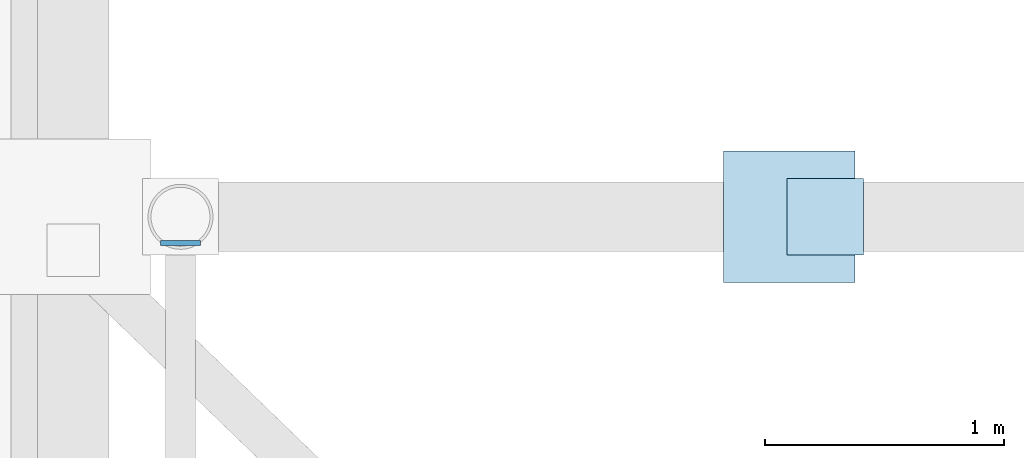
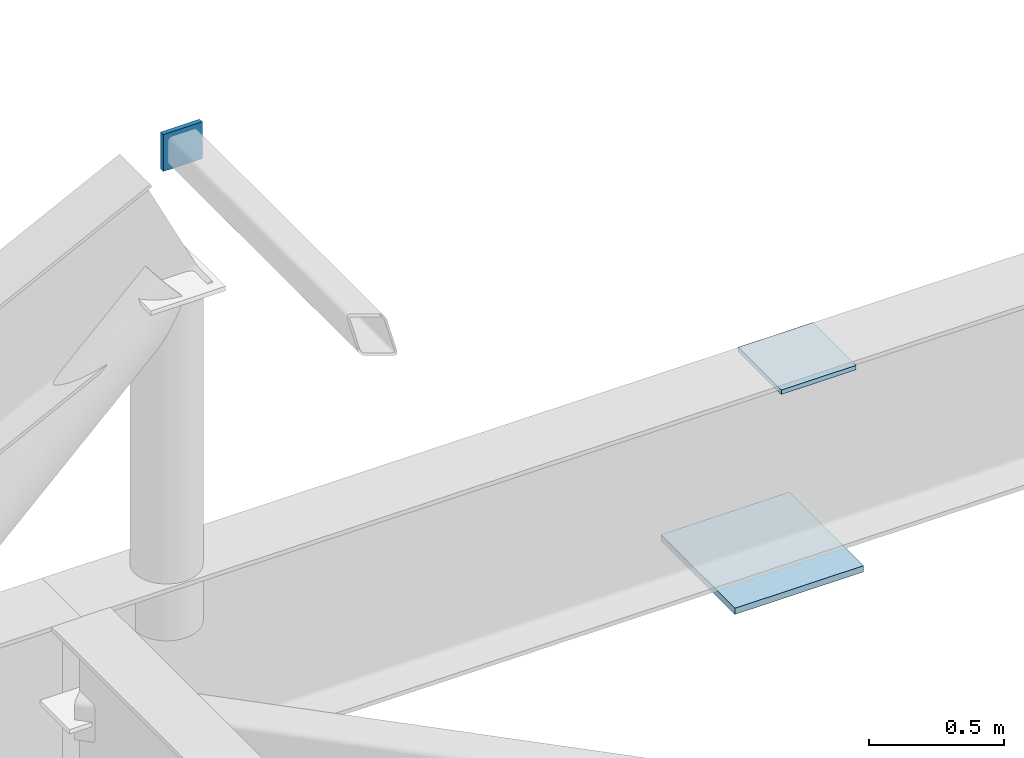
# One storey, part 32 of 41: 3 plates.
"""IFC4 building model written with IfcOpenShell, lengths in metres."""

from ifc_helpers import new_model, si_unit, direction, frame, origin, origin_2d, place, context, subcontext, project, spatial, rectangle, extrude, material, layer, layer_set, type_object, element, save


model = new_model("IFC4")

# Units and contexts
model_context = context("Model", 3, precision=1e-05, world=origin(), true_north=direction((0.0, 1.0)))
body_context = subcontext(model_context, "Body", "Model", "MODEL_VIEW")
ifc_project = project(units=[si_unit("LENGTHUNIT", "METRE"), si_unit("AREAUNIT", "SQUARE_METRE"), si_unit("VOLUMEUNIT", "CUBIC_METRE"), si_unit("PLANEANGLEUNIT", "RADIAN"), si_unit("MASSUNIT", "GRAM", prefix="KILO")], contexts=[model_context])

# Site, building, storey
site_placement = place(None, origin())
site = spatial("IfcSite", under=ifc_project, at=site_placement, CompositionType="ELEMENT")
building_placement = place(site_placement, origin())
building = spatial("IfcBuilding", under=site, at=building_placement, Name="Vireocrest Preparatory School", CompositionType="ELEMENT")
storey_placement = place(building_placement, frame((0.0, 0.0, 21.60009765625)))
storey = spatial("IfcBuildingStorey", under=building, at=storey_placement, Name="L05", CompositionType="ELEMENT", Elevation=21.60009765625)

# Plates
ifc_material = material(Name="Structural steel ASTM A572 Grade 50", Category="steel")
ifc_layer_1 = layer(ifc_material, 0.028076171875)
ifc_layer_set_1 = layer_set([ifc_layer_1], Name="Structural steel ASTM A572 Grade 50")
plate_type_1 = type_object("IfcPlateType", Name="Canopy Girder Upper Steel Node Plate 28", PredefinedType="SHEET", material=ifc_layer_set_1)
plate_1_placement = place(storey_placement, frame((70.199951171875, 85.800048828125, 0.9716796875), z_axis=(0.0, 0.0, 1.0), x_axis=(1.0, 0.0, 0.0)))
element("IfcPlate", 1, at=plate_1_placement, inside=storey, type_object=plate_type_1, Name="Node VN2 Secondary Strut Bearing Plate W8", PredefinedType="SHEET", context=body_context, shape_type="SweptSolid", body=[
    extrude(rectangle(XDim=0.550048828125, YDim=0.550048828125, at=origin_2d()), origin(), (0.0, 0.0, 1.0), 0.028076171875),
])
ifc_layer_2 = layer(ifc_material, 0.02001953125)
ifc_layer_set_2 = layer_set([ifc_layer_2], Name="Structural steel ASTM A572 Grade 50")
plate_type_2 = type_object("IfcPlateType", Name="Hollow Section Steel End Cap Plate 20", PredefinedType="SHEET", material=ifc_layer_set_2)
plate_2_placement = place(storey_placement, frame((70.35009765625, 85.800048828125, 1.804931640625), z_axis=(0.0, 0.0, 1.0), x_axis=(1.0, 0.0, 0.0)))
element("IfcPlate", 2, at=plate_2_placement, inside=storey, type_object=plate_type_2, Name="Canopy Web Cap CP1-8-2B", PredefinedType="SHEET", context=body_context, shape_type="SweptSolid", body=[
    extrude(rectangle(XDim=0.320068359375, YDim=0.320068359375, at=origin_2d()), origin(), (0.0, 0.0, 1.0), 0.02001953125),
])
plate_3_placement = place(storey_placement, frame((67.64990234375, 85.68994140625, 3.70849609375), z_axis=(0.0, 0.0, 1.0), x_axis=(1.0, 0.0, 0.0)))
element("IfcPlate", 3, at=plate_3_placement, inside=storey, type_object=plate_type_2, Name="Canopy Purlin Cap CP1-7-2", PredefinedType="SHEET", context=body_context, shape_type="SweptSolid", body=[
    extrude(rectangle(XDim=0.1669921875, YDim=0.02001953125, at=origin_2d()), origin(), (0.0, 0.0, 1.0), 0.1669921875),
])

save(model, "model.ifc")
